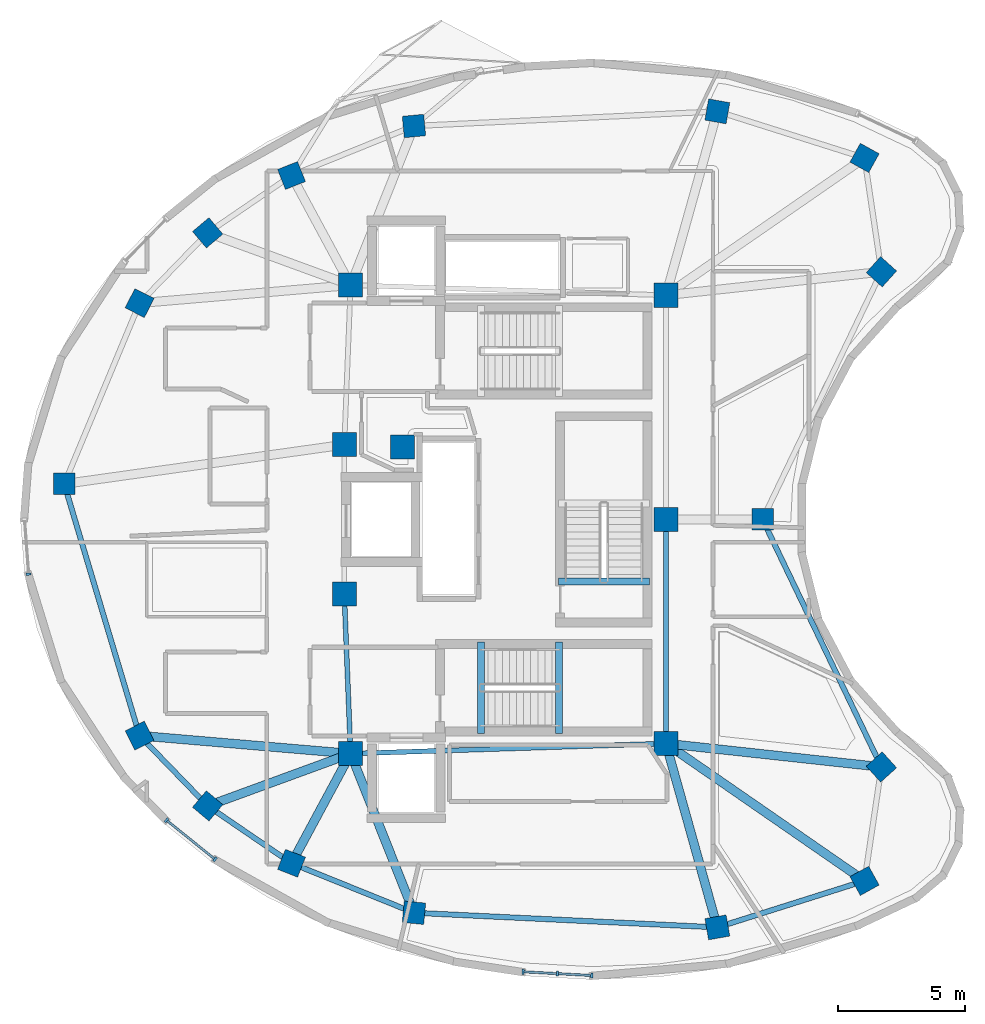
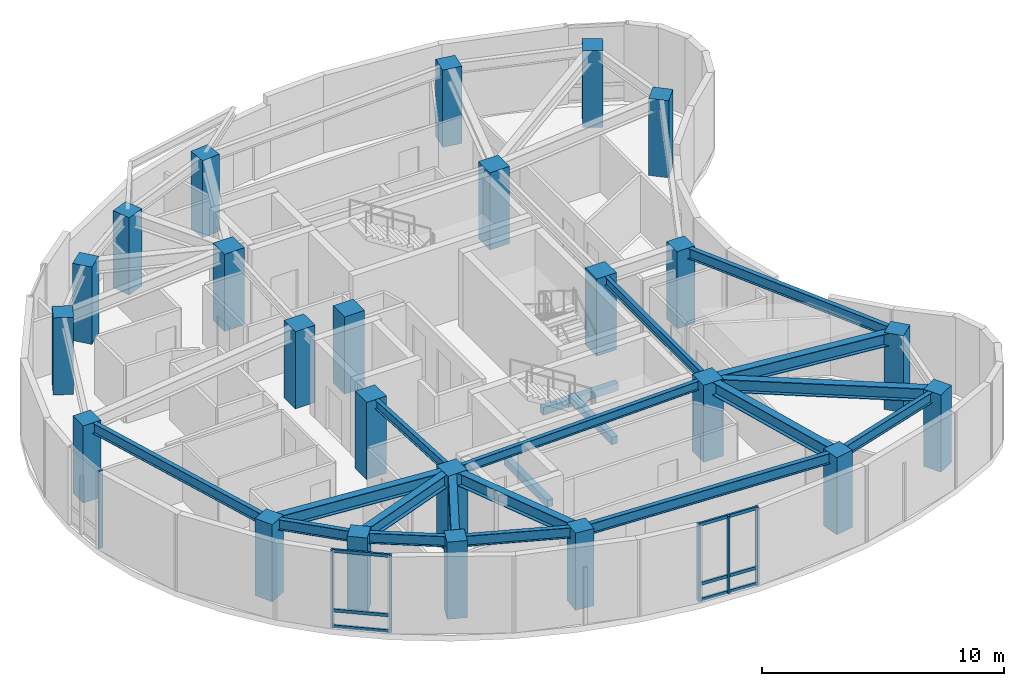
# One storey, part 1 of 8: 24 columns, 20 beams, 15 members, 3 elements without a shape of their own.
"""IFC4 building model written with IfcOpenShell, lengths in metres."""

from ifc_helpers import new_model, si_unit, direction, frame, origin, origin_2d, place, context, subcontext, project, spatial, rectangle, i_section, extrude, material, layer, layer_set, material_profile, profile_set, type_object, element, aggregate, save


model = new_model("IFC4")

# Units and contexts
model_context = context("Model", 3, precision=1e-05, world=origin(), true_north=direction((0.0, 1.0)))
body_context = subcontext(model_context, "Body", "Model", "MODEL_VIEW")
ifc_project = project(units=[si_unit("LENGTHUNIT", "METRE"), si_unit("AREAUNIT", "SQUARE_METRE"), si_unit("VOLUMEUNIT", "CUBIC_METRE"), si_unit("PLANEANGLEUNIT", "RADIAN"), si_unit("MASSUNIT", "GRAM", prefix="KILO")], contexts=[model_context])

# Site, building, storey
site_placement = place(None, origin())
site = spatial("IfcSite", under=ifc_project, at=site_placement, CompositionType="ELEMENT")
building_placement = place(site_placement, origin())
building = spatial("IfcBuilding", under=site, at=building_placement, Name="Korentha Bioscience Tower", CompositionType="ELEMENT")
storey_placement = place(building_placement, frame((0.0, 0.0, 310.199951171875)))
storey = spatial("IfcBuildingStorey", under=building, at=storey_placement, Name="L71", CompositionType="ELEMENT", Elevation=310.199951171875)

# Columns
ifc_material_1 = material(Name="Concrete C65", Category="concrete")
ifc_material_profile_1 = material_profile(ifc_material_1, rectangle(XDim=0.949951171875, YDim=0.949951171875, at=origin_2d()), Name="Concrete C65")
ifc_profile_set_1 = profile_set([ifc_material_profile_1], Name="Concrete C65 (COL-CP09)")
column_type_1 = type_object("IfcColumnType", Name="Core Pilaster Column RC 950x950", PredefinedType="PILASTER", material=ifc_profile_set_1)
for number, where, z_axis, x_axis, name in (
    (1, (37.550048828125, 35.85009765625, -0.00048828125), (0.0, 0.0, 1.0), (1.0, 0.0, 0.0), "L71 Core Pilaster CP-01"),
    (2, (25.10009765625, 36.25, -0.00048828125), (0.0, 0.0, 1.0), (1.0, 0.0, 0.0), "L71 Core Pilaster CP-02"),
    (3, (24.85009765625, 29.949951171875, -0.00048828125), (0.0, 0.0, 1.0), (1.0, 0.0, 0.0), "L71 Core Pilaster CP-03"),
    (4, (27.14990234375, 29.85009765625, -0.00048828125), (0.0, 0.0, 1.0), (1.0, 0.0, 0.0), "L71 Core Pilaster CP-04"),
    (5, (24.85009765625, 24.050048828125, -0.00048828125), (0.0, 0.0, 1.0), (1.0, 0.0, 0.0), "L71 Core Pilaster CP-05"),
    (6, (25.10009765625, 17.75, -0.00048828125), (0.0, 0.0, 1.0), (1.0, 0.0, 0.0), "L71 Core Pilaster CP-06"),
    (7, (37.550048828125, 18.14990234375, -0.00048828125), (0.0, 0.0, 1.0), (1.0, 0.0, 0.0), "L71 Core Pilaster CP-07"),
    (8, (37.550048828125, 27.0, -0.00048828125), (0.0, 0.0, 1.0), (1.0, 0.0, 0.0), "L71 Core Pilaster CP-08"),
):
    element("IfcColumn", number, at=place(storey_placement, frame(where, z_axis=z_axis, x_axis=x_axis)), inside=storey, type_object=column_type_1, Name=name, PredefinedType="PILASTER", context=body_context, shape_type="SweptSolid", body=[
        extrude(rectangle(XDim=0.949951171875, YDim=0.949951171875, at=origin_2d()), origin(), (0.0, 0.0, 1.0), 3.901123046875),
    ])
ifc_material_2 = material(Name="Concrete C50", Category="concrete")
ifc_material_profile_2 = material_profile(ifc_material_2, rectangle(XDim=0.85009765625, YDim=0.85009765625, at=origin_2d()), Name="Concrete C50")
ifc_profile_set_2 = profile_set([ifc_material_profile_2], Name="Concrete C50 (COL-P08)")
column_type_2 = type_object("IfcColumnType", Name="Perimeter Column RC 850x850", PredefinedType="COLUMN", material=ifc_profile_set_2)
for number, where, z_axis, x_axis, name in (
    (9, (45.393310546875, 41.273681640625, -0.00048828125), (0.0, 0.0, 1.0), (-0.874535078577, 0.484962262797, 0.0), "L71 Perimeter Column 01"),
    (10, (39.581787109375, 43.110595703125, -0.00048828125), (0.0, 0.0, 1.0), (-0.984868307662, 0.173304404339, 0.0), "L71 Perimeter Column 02"),
    (11, (27.60205078125, 42.53369140625, -0.00048828125), (0.0, 0.0, 1.0), (0.995462868748, 0.095150811579, 0.0), "L71 Perimeter Column 03"),
    (12, (22.766357421875, 40.57861328125, -0.00048828125), (0.0, 0.0, 1.0), (0.930225540858, 0.366988341962, 0.0), "L71 Perimeter Column 04"),
    (13, (19.455810546875, 38.315185546875, -0.00048828125), (0.0, 0.0, 1.0), (0.764246456939, 0.644924300253, 0.0), "L71 Perimeter Column 05"),
    (14, (16.76708984375, 35.53955078125, -0.00048828125), (0.0, 0.0, 1.0), (0.453057191132, 0.891481453292, 0.0), "L71 Perimeter Column 06"),
    (15, (13.791015625, 28.398681640625, -0.00048828125), (0.0, 0.0, 1.0), (0.0, 1.0, 0.0), "L71 Perimeter Column 07"),
    (16, (16.76708984375, 18.46044921875, -0.00048828125), (0.0, 0.0, 1.0), (-0.453057191132, 0.891481453292, 0.0), "L71 Perimeter Column 08"),
    (17, (19.455810546875, 15.684814453125, -0.00048828125), (0.0, 0.0, 1.0), (-0.764246456939, 0.644924300253, 0.0), "L71 Perimeter Column 09"),
    (18, (22.766357421875, 13.42138671875, -0.00048828125), (0.0, 0.0, 1.0), (-0.930225540858, 0.366988341962, 0.0), "L71 Perimeter Column 10"),
    (19, (27.60205078125, 11.46630859375, -0.00048828125), (0.0, 0.0, 1.0), (-0.995462868748, 0.095150811579, 0.0), "L71 Perimeter Column 11"),
    (20, (39.581787109375, 10.889404296875, -0.00048828125), (0.0, 0.0, 1.0), (0.984868307662, 0.173304404339, 0.0), "L71 Perimeter Column 12"),
    (21, (45.393310546875, 12.726318359375, -0.00048828125), (0.0, 0.0, 1.0), (0.874535078577, 0.484962262797, 0.0), "L71 Perimeter Column 13"),
    (22, (46.060791015625, 17.22265625, -0.00048828125), (0.0, 0.0, 1.0), (-0.669130606359, 0.743144825477, 0.0), "L71 Perimeter Column 14"),
    (23, (41.36572265625, 27.0, -0.00048828125), (0.0, 0.0, 1.0), (0.0, 1.0, 0.0), "L71 Perimeter Column 15"),
    (24, (46.060791015625, 36.77734375, -0.00048828125), (0.0, 0.0, 1.0), (0.669130606359, 0.743144825477, 0.0), "L71 Perimeter Column 16"),
):
    element("IfcColumn", number, at=place(storey_placement, frame(where, z_axis=z_axis, x_axis=x_axis)), inside=storey, type_object=column_type_2, Name=name, PredefinedType="COLUMN", context=body_context, shape_type="SweptSolid", body=[
        extrude(rectangle(XDim=0.85009765625, YDim=0.85009765625, at=origin_2d()), origin(), (0.0, 0.0, 1.0), 3.901123046875),
    ])

# Beams
ifc_material_profile_3 = material_profile(ifc_material_2, rectangle(XDim=0.280029296875, YDim=0.3798828125, at=origin_2d()), Name="Concrete C50")
ifc_profile_set_3 = profile_set([ifc_material_profile_3], Name="Concrete C50 (ST-HB380)")
beam_type_1 = type_object("IfcBeamType", Name="Concrete Stair Header Beam RC 280x380", PredefinedType="BEAM", material=ifc_profile_set_3)
for number, where, z_axis, x_axis, name in (
    (25, (30.25, 18.550048828125, -0.18994140625), (0.0, 1.0, 0.0), (-1.0, 0.0, 0.0), "L71 ST-2 Concrete Stair Header Beam"),
    (26, (33.330078125, 18.550048828125, 1.91015625), (0.0, 1.0, 0.0), (-1.0, 0.0, 0.0), "L71 ST-2 Half-Landing Header Beam 1"),
    (27, (36.89990234375, 24.550048828125, -0.18994140625), (-1.0, 0.0, 0.0), (0.0, -1.0, 0.0), "L71 ST-3 Concrete Stair Header Beam"),
):
    element("IfcBeam", number, at=place(storey_placement, frame(where, z_axis=z_axis, x_axis=x_axis)), inside=storey, type_object=beam_type_1, Name=name, PredefinedType="BEAM", context=body_context, shape_type="SweptSolid", body=[
        extrude(rectangle(XDim=0.280029296875, YDim=0.3798828125, at=origin_2d()), origin(), (0.0, 0.0, 1.0), 3.599853515625),
    ])
ifc_material_3 = material(Name="Steel S355", Category="steel")
ifc_material_profile_4 = material_profile(ifc_material_3, i_section(OverallWidth=0.18994140625, OverallDepth=0.45703125, WebThickness=0.009033203125, FlangeThickness=0.014404296875, at=origin_2d()), Name="Steel S355")
ifc_profile_set_4 = profile_set([ifc_material_profile_4], Name="Steel S355 (MB-460)")
beam_type_2 = type_object("IfcBeamType", Name="Mid-Ring Tie Girder W460x74", PredefinedType="BEAM", material=ifc_profile_set_4)
beam_1_placement = place(storey_placement, frame((24.85009765625, 24.050048828125, 3.671630859375), z_axis=(0.039651025576, -0.999213588864, 0.0), x_axis=(0.999213588864, 0.039651025576, 0.0)))
element("IfcBeam", 28, at=beam_1_placement, inside=storey, type_object=beam_type_2, Name="L71 Core Ring Tie Girder 04", PredefinedType="BEAM", context=body_context, shape_type="SweptSolid", body=[
    extrude(i_section(OverallWidth=0.18994140625, OverallDepth=0.45703125, WebThickness=0.009033203125, FlangeThickness=0.014404296875, at=origin_2d()), origin(), (0.0, 0.0, 1.0), 6.304931640625),
])
beam_2_placement = place(storey_placement, frame((25.10009765625, 17.75, 3.671630859375), z_axis=(0.999484526071, 0.032104238723, 0.0), x_axis=(-0.032104238723, 0.999484526071, 0.0)))
element("IfcBeam", 29, at=beam_2_placement, inside=storey, type_object=beam_type_2, Name="L71 Core Ring Tie Girder 05", PredefinedType="BEAM", context=body_context, shape_type="SweptSolid", body=[
    extrude(i_section(OverallWidth=0.18994140625, OverallDepth=0.45703125, WebThickness=0.009033203125, FlangeThickness=0.014404296875, at=origin_2d()), origin(), (0.0, 0.0, 1.0), 12.456298828125),
])
beam_3_placement = place(storey_placement, frame((37.550048828125, 18.14990234375, 3.671630859375), z_axis=(0.0, 1.0, 0.0), x_axis=(-1.0, 0.0, 0.0)))
element("IfcBeam", 30, at=beam_3_placement, inside=storey, type_object=beam_type_2, Name="L71 Core Ring Tie Girder 06", PredefinedType="BEAM", context=body_context, shape_type="SweptSolid", body=[
    extrude(i_section(OverallWidth=0.18994140625, OverallDepth=0.45703125, WebThickness=0.009033203125, FlangeThickness=0.014404296875, at=origin_2d()), origin(), (0.0, 0.0, 1.0), 8.85009765625),
])

# Curtain wall, member
ifc_material_4 = material(Name="Thermally Broken Aluminium Frame", Category="aluminium")
ifc_layer = layer(ifc_material_4, 0.219970703125, Name="Thermally Broken Aluminium Frame")
ifc_layer_set = layer_set([ifc_layer], Name="Thermally Broken Aluminium Frame (CW-T1)")
curtain_wall_type = type_object("IfcCurtainWallType", Name="Standard Bioscience Lab Unitised Curtain Wall CW-T1", PredefinedType="USERDEFINED", material=ifc_layer_set)
curtain_wall_1_placement = place(storey_placement, origin())
curtain_wall_1 = element("IfcCurtainWall", 31, at=curtain_wall_1_placement, inside=storey, type_object=curtain_wall_type, Name="L71 Curtain Wall 19", ObjectType="UNITISED", PredefinedType="USERDEFINED")
ifc_material_5 = material(Name="Anodised Aluminium 6063-T6", Category="aluminium")
ifc_material_profile_5 = material_profile(ifc_material_5, rectangle(XDim=0.090087890625, YDim=0.199951171875, at=origin_2d()), Name="Anodised Aluminium 6063-T6")
ifc_profile_set_5 = profile_set([ifc_material_profile_5], Name="Anodised Aluminium 6063-T6 (CW-MUL)")
member_type_1 = type_object("IfcMemberType", Name="Mullion RECT 90x200", PredefinedType="MULLION", material=ifc_profile_set_5)
member_1_placement = place(storey_placement, frame((12.38427734375, 24.83740234375, 0.0), z_axis=(0.0, 0.0, 1.0), x_axis=(0.075073021346, -0.997178039001, 0.0)))
member_1 = element("IfcMember", 32, at=member_1_placement, type_object=member_type_1, Name="CW-L71-19 Mullion 2", PredefinedType="MULLION", context=body_context, shape_type="SweptSolid", body=[
    extrude(rectangle(XDim=0.090087890625, YDim=0.199951171875, at=origin_2d()), origin(), (0.0, 0.0, 1.0), 3.900146484375),
])
aggregate(curtain_wall_1, [member_1])

# Curtain wall, members
curtain_wall_2_placement = place(storey_placement, origin())
curtain_wall_2 = element("IfcCurtainWall", 33, at=curtain_wall_2_placement, inside=storey, type_object=curtain_wall_type, Name="L71 Curtain Wall 25", ObjectType="UNITISED", PredefinedType="USERDEFINED")
member_2_placement = place(storey_placement, frame((17.829345703125, 15.1201171875, 0.0), z_axis=(0.0, 0.0, 1.0), x_axis=(0.778807101094, -0.62726350068, 0.0)))
member_2 = element("IfcMember", 34, at=member_2_placement, type_object=member_type_1, Name="CW-L71-25 Mullion 1", PredefinedType="MULLION", context=body_context, shape_type="SweptSolid", body=[
    extrude(rectangle(XDim=0.090087890625, YDim=0.199951171875, at=origin_2d()), origin(), (0.0, 0.0, 1.0), 3.900146484375),
])
member_3_placement = place(storey_placement, frame((19.74609375, 13.576171875, 0.0), z_axis=(0.0, 0.0, 1.0), x_axis=(0.778807101094, -0.62726350068, 0.0)))
member_3 = element("IfcMember", 35, at=member_3_placement, type_object=member_type_1, Name="CW-L71-25 Mullion 2", PredefinedType="MULLION", context=body_context, shape_type="SweptSolid", body=[
    extrude(rectangle(XDim=0.090087890625, YDim=0.199951171875, at=origin_2d()), origin(), (0.0, 0.0, 1.0), 3.900146484375),
])

curtain_wall_3_placement = place(storey_placement, origin())
curtain_wall_3 = element("IfcCurtainWall", 36, at=curtain_wall_3_placement, inside=storey, type_object=curtain_wall_type, Name="L71 Curtain Wall 31", ObjectType="UNITISED", PredefinedType="USERDEFINED")
member_4_placement = place(storey_placement, frame((31.909423828125, 9.13623046875, 0.0), z_axis=(0.0, 0.0, 1.0), x_axis=(0.998526001182, -0.054275454513, 0.0)))
member_4 = element("IfcMember", 37, at=member_4_placement, type_object=member_type_1, Name="CW-L71-31 Mullion 1", PredefinedType="MULLION", context=body_context, shape_type="SweptSolid", body=[
    extrude(rectangle(XDim=0.090087890625, YDim=0.199951171875, at=origin_2d()), origin(), (0.0, 0.0, 1.0), 3.900146484375),
])
member_5_placement = place(storey_placement, frame((33.267333984375, 9.0625, 0.0), z_axis=(0.0, 0.0, 1.0), x_axis=(0.998526001182, -0.054275454513, 0.0)))
member_5 = element("IfcMember", 38, at=member_5_placement, type_object=member_type_1, Name="CW-L71-31 Mullion 2", PredefinedType="MULLION", context=body_context, shape_type="SweptSolid", body=[
    extrude(rectangle(XDim=0.090087890625, YDim=0.199951171875, at=origin_2d()), origin(), (0.0, 0.0, 1.0), 3.900146484375),
])
member_6_placement = place(storey_placement, frame((34.625244140625, 8.988525390625, 0.0), z_axis=(0.0, 0.0, 1.0), x_axis=(0.998526001182, -0.054275454513, 0.0)))
member_6 = element("IfcMember", 39, at=member_6_placement, type_object=member_type_1, Name="CW-L71-31 Mullion 3", PredefinedType="MULLION", context=body_context, shape_type="SweptSolid", body=[
    extrude(rectangle(XDim=0.090087890625, YDim=0.199951171875, at=origin_2d()), origin(), (0.0, 0.0, 1.0), 3.900146484375),
])

# Beams
ifc_material_profile_6 = material_profile(ifc_material_3, i_section(OverallWidth=0.208984375, OverallDepth=0.532958984375, WebThickness=0.01025390625, FlangeThickness=0.015625, at=origin_2d()), Name="Steel S355")
ifc_profile_set_6 = profile_set([ifc_material_profile_6], Name="Steel S355 (SB-530)")
beam_type_3 = type_object("IfcBeamType", Name="Perimeter Ring Spandrel Girder W530x92", PredefinedType="SPANDREL", material=ifc_profile_set_6)
beam_4_placement = place(storey_placement, frame((13.791015625, 28.398681640625, 3.633544921875), z_axis=(0.286870707223, -0.957969309183, 0.0), x_axis=(0.957969309183, 0.286870707223, 0.0)))
element("IfcBeam", 40, at=beam_4_placement, inside=storey, type_object=beam_type_3, Name="L71 Perimeter Spandrel Girder 07", PredefinedType="SPANDREL", context=body_context, shape_type="SweptSolid", body=[
    extrude(i_section(OverallWidth=0.208984375, OverallDepth=0.532958984375, WebThickness=0.01025390625, FlangeThickness=0.015625, at=origin_2d()), origin(), (0.0, 0.0, 1.0), 10.374267578125),
])
beam_5_placement = place(storey_placement, frame((16.76708984375, 18.46044921875, 3.633544921875), z_axis=(0.695771790517, -0.718262915317, 0.0), x_axis=(0.718262915317, 0.695771790517, 0.0)))
element("IfcBeam", 41, at=beam_5_placement, inside=storey, type_object=beam_type_3, Name="L71 Perimeter Spandrel Girder 08", PredefinedType="SPANDREL", context=body_context, shape_type="SweptSolid", body=[
    extrude(i_section(OverallWidth=0.208984375, OverallDepth=0.532958984375, WebThickness=0.01025390625, FlangeThickness=0.015625, at=origin_2d()), origin(), (0.0, 0.0, 1.0), 3.8642578125),
])
beam_6_placement = place(storey_placement, frame((19.455810546875, 15.684814453125, 3.633544921875), z_axis=(0.825502824703, -0.564397985828, 0.0), x_axis=(0.564397985828, 0.825502824703, 0.0)))
element("IfcBeam", 42, at=beam_6_placement, inside=storey, type_object=beam_type_3, Name="L71 Perimeter Spandrel Girder 09", PredefinedType="SPANDREL", context=body_context, shape_type="SweptSolid", body=[
    extrude(i_section(OverallWidth=0.208984375, OverallDepth=0.532958984375, WebThickness=0.01025390625, FlangeThickness=0.015625, at=origin_2d()), origin(), (0.0, 0.0, 1.0), 4.01025390625),
])
beam_7_placement = place(storey_placement, frame((22.766357421875, 13.42138671875, 3.633544921875), z_axis=(0.92709518526, -0.374825982913, 0.0), x_axis=(0.374825982913, 0.92709518526, 0.0)))
element("IfcBeam", 43, at=beam_7_placement, inside=storey, type_object=beam_type_3, Name="L71 Perimeter Spandrel Girder 10", PredefinedType="SPANDREL", context=body_context, shape_type="SweptSolid", body=[
    extrude(i_section(OverallWidth=0.208984375, OverallDepth=0.532958984375, WebThickness=0.01025390625, FlangeThickness=0.015625, at=origin_2d()), origin(), (0.0, 0.0, 1.0), 5.216064453125),
])
beam_8_placement = place(storey_placement, frame((27.60205078125, 11.46630859375, 3.633544921875), z_axis=(0.998842480099, -0.04810093502, 0.0), x_axis=(0.04810093502, 0.998842480099, 0.0)))
element("IfcBeam", 44, at=beam_8_placement, inside=storey, type_object=beam_type_3, Name="L71 Perimeter Spandrel Girder 11", PredefinedType="SPANDREL", context=body_context, shape_type="SweptSolid", body=[
    extrude(i_section(OverallWidth=0.208984375, OverallDepth=0.532958984375, WebThickness=0.01025390625, FlangeThickness=0.015625, at=origin_2d()), origin(), (0.0, 0.0, 1.0), 11.99365234375),
])
beam_9_placement = place(storey_placement, frame((39.581787109375, 10.889404296875, 3.633544921875), z_axis=(0.953502720539, 0.301384408895, 0.0), x_axis=(-0.301384408895, 0.953502720539, 0.0)))
element("IfcBeam", 45, at=beam_9_placement, inside=storey, type_object=beam_type_3, Name="L71 Perimeter Spandrel Girder 12", PredefinedType="SPANDREL", context=body_context, shape_type="SweptSolid", body=[
    extrude(i_section(OverallWidth=0.208984375, OverallDepth=0.532958984375, WebThickness=0.01025390625, FlangeThickness=0.015625, at=origin_2d()), origin(), (0.0, 0.0, 1.0), 6.094970703125),
])
beam_10_placement = place(storey_placement, frame((46.060791015625, 17.22265625, 3.633544921875), z_axis=(-0.432876684637, 0.901453146812, 0.0), x_axis=(-0.901453146812, -0.432876684637, 0.0)))
element("IfcBeam", 46, at=beam_10_placement, inside=storey, type_object=beam_type_3, Name="L71 Perimeter Spandrel Girder 14", PredefinedType="SPANDREL", context=body_context, shape_type="SweptSolid", body=[
    extrude(i_section(OverallWidth=0.208984375, OverallDepth=0.532958984375, WebThickness=0.01025390625, FlangeThickness=0.015625, at=origin_2d()), origin(), (0.0, 0.0, 1.0), 10.84619140625),
])
ifc_material_profile_7 = material_profile(ifc_material_3, i_section(OverallWidth=0.35009765625, OverallDepth=0.64990234375, WebThickness=0.01611328125, FlangeThickness=0.02490234375, at=origin_2d()), Name="Steel S355")
ifc_profile_set_7 = profile_set([ifc_material_profile_7], Name="Steel S355 (RB-650)")
beam_type_4 = type_object("IfcBeamType", Name="Radial Laboratory Girder CVS 650x208", PredefinedType="BEAM", material=ifc_profile_set_7)
beam_11_placement = place(storey_placement, frame((25.10009765625, 17.75, 3.574951171875), z_axis=(-0.996385295821, 0.084949056921, 0.0), x_axis=(-0.084949056921, -0.996385295821, 0.0)))
element("IfcBeam", 47, at=beam_11_placement, inside=storey, type_object=beam_type_4, Name="L71 Radial Girder 08", PredefinedType="BEAM", context=body_context, shape_type="SweptSolid", body=[
    extrude(i_section(OverallWidth=0.35009765625, OverallDepth=0.64990234375, WebThickness=0.01611328125, FlangeThickness=0.02490234375, at=origin_2d()), origin(), (0.0, 0.0, 1.0), 8.36328125),
])
beam_12_placement = place(storey_placement, frame((25.10009765625, 17.75, 3.574951171875), z_axis=(-0.9391119825, -0.343611240104, 0.0), x_axis=(0.343611240104, -0.9391119825, 0.0)))
element("IfcBeam", 48, at=beam_12_placement, inside=storey, type_object=beam_type_4, Name="L71 Radial Girder 09", PredefinedType="BEAM", context=body_context, shape_type="SweptSolid", body=[
    extrude(i_section(OverallWidth=0.35009765625, OverallDepth=0.64990234375, WebThickness=0.01611328125, FlangeThickness=0.02490234375, at=origin_2d()), origin(), (0.0, 0.0, 1.0), 6.01025390625),
])
beam_13_placement = place(storey_placement, frame((25.10009765625, 17.75, 3.574951171875), z_axis=(-0.474564560434, -0.88022069845, 0.0), x_axis=(0.88022069845, -0.474564560434, 0.0)))
element("IfcBeam", 49, at=beam_13_placement, inside=storey, type_object=beam_type_4, Name="L71 Radial Girder 10", PredefinedType="BEAM", context=body_context, shape_type="SweptSolid", body=[
    extrude(i_section(OverallWidth=0.35009765625, OverallDepth=0.64990234375, WebThickness=0.01611328125, FlangeThickness=0.02490234375, at=origin_2d()), origin(), (0.0, 0.0, 1.0), 4.917724609375),
])
beam_14_placement = place(storey_placement, frame((25.10009765625, 17.75, 3.574951171875), z_axis=(0.369921439624, -0.929063037962, 0.0), x_axis=(0.929063037962, 0.369921439624, 0.0)))
element("IfcBeam", 50, at=beam_14_placement, inside=storey, type_object=beam_type_4, Name="L71 Radial Girder 11", PredefinedType="BEAM", context=body_context, shape_type="SweptSolid", body=[
    extrude(i_section(OverallWidth=0.35009765625, OverallDepth=0.64990234375, WebThickness=0.01611328125, FlangeThickness=0.02490234375, at=origin_2d()), origin(), (0.0, 0.0, 1.0), 6.763427734375),
])
beam_15_placement = place(storey_placement, frame((37.550048828125, 18.14990234375, 3.574951171875), z_axis=(0.269482185926, -0.963005374579, 0.0), x_axis=(0.963005374579, 0.269482185926, 0.0)))
element("IfcBeam", 51, at=beam_15_placement, inside=storey, type_object=beam_type_4, Name="L71 Radial Girder 12", PredefinedType="BEAM", context=body_context, shape_type="SweptSolid", body=[
    extrude(i_section(OverallWidth=0.35009765625, OverallDepth=0.64990234375, WebThickness=0.01611328125, FlangeThickness=0.02490234375, at=origin_2d()), origin(), (0.0, 0.0, 1.0), 7.539306640625),
])
beam_16_placement = place(storey_placement, frame((37.550048828125, 18.14990234375, 3.574951171875), z_axis=(0.822504520154, -0.56875857297, 0.0), x_axis=(0.56875857297, 0.822504520154, 0.0)))
element("IfcBeam", 52, at=beam_16_placement, inside=storey, type_object=beam_type_4, Name="L71 Radial Girder 13", PredefinedType="BEAM", context=body_context, shape_type="SweptSolid", body=[
    extrude(i_section(OverallWidth=0.35009765625, OverallDepth=0.64990234375, WebThickness=0.01611328125, FlangeThickness=0.02490234375, at=origin_2d()), origin(), (0.0, 0.0, 1.0), 9.535888671875),
])
beam_17_placement = place(storey_placement, frame((37.550048828125, 18.14990234375, 3.574951171875), z_axis=(0.994117259507, -0.108309160975, 0.0), x_axis=(0.108309160975, 0.994117259507, 0.0)))
element("IfcBeam", 53, at=beam_17_placement, inside=storey, type_object=beam_type_4, Name="L71 Radial Girder 14", PredefinedType="BEAM", context=body_context, shape_type="SweptSolid", body=[
    extrude(i_section(OverallWidth=0.35009765625, OverallDepth=0.64990234375, WebThickness=0.01611328125, FlangeThickness=0.02490234375, at=origin_2d()), origin(), (0.0, 0.0, 1.0), 8.56103515625),
])

# Member
ifc_material_profile_8 = material_profile(ifc_material_5, rectangle(XDim=0.090087890625, YDim=0.159912109375, at=origin_2d()), Name="Anodised Aluminium 6063-T6")
ifc_profile_set_8 = profile_set([ifc_material_profile_8], Name="Anodised Aluminium 6063-T6 (CW-TRN)")
member_type_2 = type_object("IfcMemberType", Name="Transom RECT 90x160", PredefinedType="USERDEFINED", material=ifc_profile_set_8)
member_7_placement = place(storey_placement, frame((17.864501953125, 15.091796875, 0.045166015625), z_axis=(0.778815384678, -0.627253215687, 0.0), x_axis=(0.627253215687, 0.778815384678, 0.0)))
member_7 = element("IfcMember", 54, at=member_7_placement, type_object=member_type_2, Name="CW-L71-25 Bay 1 Transom 1", ObjectType="TRANSOM", PredefinedType="USERDEFINED", context=body_context, shape_type="SweptSolid", body=[
    extrude(rectangle(XDim=0.090087890625, YDim=0.159912109375, at=origin_2d()), origin(), (0.0, 0.0, 1.0), 2.37109375),
])

member_8_placement = place(storey_placement, frame((17.864501953125, 15.091796875, 0.85009765625), z_axis=(0.778815384678, -0.627253215687, 0.0), x_axis=(0.627253215687, 0.778815384678, 0.0)))
member_8 = element("IfcMember", 55, at=member_8_placement, type_object=member_type_2, Name="CW-L71-25 Bay 1 Transom 2", ObjectType="TRANSOM", PredefinedType="USERDEFINED", context=body_context, shape_type="SweptSolid", body=[
    extrude(rectangle(XDim=0.090087890625, YDim=0.159912109375, at=origin_2d()), origin(), (0.0, 0.0, 1.0), 2.37109375),
])

member_9_placement = place(storey_placement, frame((17.864501953125, 15.091796875, 3.85498046875), z_axis=(0.778815384678, -0.627253215687, 0.0), x_axis=(0.627253215687, 0.778815384678, 0.0)))
member_9 = element("IfcMember", 56, at=member_9_placement, type_object=member_type_2, Name="CW-L71-25 Bay 1 Transom 3", ObjectType="TRANSOM", PredefinedType="USERDEFINED", context=body_context, shape_type="SweptSolid", body=[
    extrude(rectangle(XDim=0.090087890625, YDim=0.159912109375, at=origin_2d()), origin(), (0.0, 0.0, 1.0), 2.37109375),
])

aggregate(curtain_wall_2, [member_2, member_3, member_7, member_8, member_9])

member_10_placement = place(storey_placement, frame((31.95458984375, 9.1337890625, 0.045166015625), z_axis=(0.998518368514, -0.054415693874, 0.0), x_axis=(0.054415693874, 0.998518368514, 0.0)))
member_10 = element("IfcMember", 57, at=member_10_placement, type_object=member_type_2, Name="CW-L71-31 Bay 1 Transom 1", ObjectType="TRANSOM", PredefinedType="USERDEFINED", context=body_context, shape_type="SweptSolid", body=[
    extrude(rectangle(XDim=0.090087890625, YDim=0.159912109375, at=origin_2d()), origin(), (0.0, 0.0, 1.0), 1.269775390625),
])

member_11_placement = place(storey_placement, frame((31.95458984375, 9.1337890625, 0.85009765625), z_axis=(0.998518368514, -0.054415693874, 0.0), x_axis=(0.054415693874, 0.998518368514, 0.0)))
member_11 = element("IfcMember", 58, at=member_11_placement, type_object=member_type_2, Name="CW-L71-31 Bay 1 Transom 2", ObjectType="TRANSOM", PredefinedType="USERDEFINED", context=body_context, shape_type="SweptSolid", body=[
    extrude(rectangle(XDim=0.090087890625, YDim=0.159912109375, at=origin_2d()), origin(), (0.0, 0.0, 1.0), 1.269775390625),
])

member_12_placement = place(storey_placement, frame((31.95458984375, 9.1337890625, 3.85498046875), z_axis=(0.998518368514, -0.054415693874, 0.0), x_axis=(0.054415693874, 0.998518368514, 0.0)))
member_12 = element("IfcMember", 59, at=member_12_placement, type_object=member_type_2, Name="CW-L71-31 Bay 1 Transom 3", ObjectType="TRANSOM", PredefinedType="USERDEFINED", context=body_context, shape_type="SweptSolid", body=[
    extrude(rectangle(XDim=0.090087890625, YDim=0.159912109375, at=origin_2d()), origin(), (0.0, 0.0, 1.0), 1.269775390625),
])

member_13_placement = place(storey_placement, frame((33.312255859375, 9.059814453125, 0.045166015625), z_axis=(0.99852936305, -0.054213569576, 0.0), x_axis=(0.054213569576, 0.99852936305, 0.0)))
member_13 = element("IfcMember", 60, at=member_13_placement, type_object=member_type_2, Name="CW-L71-31 Bay 2 Transom 1", ObjectType="TRANSOM", PredefinedType="USERDEFINED", context=body_context, shape_type="SweptSolid", body=[
    extrude(rectangle(XDim=0.090087890625, YDim=0.159912109375, at=origin_2d()), origin(), (0.0, 0.0, 1.0), 1.27001953125),
])

member_14_placement = place(storey_placement, frame((33.312255859375, 9.059814453125, 0.85009765625), z_axis=(0.99852936305, -0.054213569576, 0.0), x_axis=(0.054213569576, 0.99852936305, 0.0)))
member_14 = element("IfcMember", 61, at=member_14_placement, type_object=member_type_2, Name="CW-L71-31 Bay 2 Transom 2", ObjectType="TRANSOM", PredefinedType="USERDEFINED", context=body_context, shape_type="SweptSolid", body=[
    extrude(rectangle(XDim=0.090087890625, YDim=0.159912109375, at=origin_2d()), origin(), (0.0, 0.0, 1.0), 1.27001953125),
])

member_15_placement = place(storey_placement, frame((33.312255859375, 9.059814453125, 3.85498046875), z_axis=(0.99852936305, -0.054213569576, 0.0), x_axis=(0.054213569576, 0.99852936305, 0.0)))
member_15 = element("IfcMember", 62, at=member_15_placement, type_object=member_type_2, Name="CW-L71-31 Bay 2 Transom 3", ObjectType="TRANSOM", PredefinedType="USERDEFINED", context=body_context, shape_type="SweptSolid", body=[
    extrude(rectangle(XDim=0.090087890625, YDim=0.159912109375, at=origin_2d()), origin(), (0.0, 0.0, 1.0), 1.27001953125),
])

aggregate(curtain_wall_3, [member_4, member_5, member_6, member_10, member_11, member_12, member_13, member_14, member_15])

save(model, "model.ifc")
